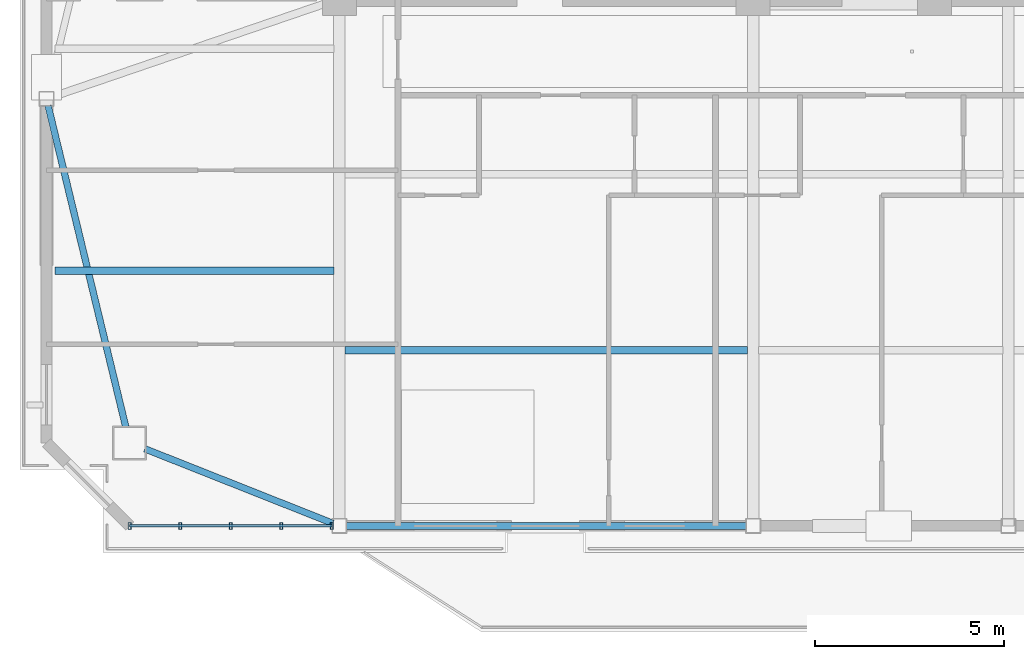
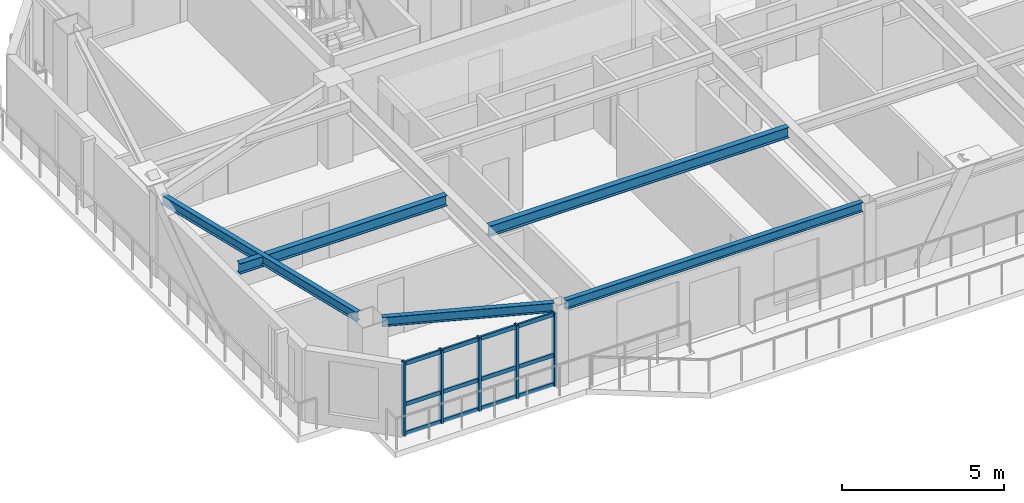
# One storey, part 2 of 13: 8 members, 5 beams, 1 element without a shape of its own.
"""IFC4 building model written with IfcOpenShell, lengths in metres."""

from ifc_helpers import new_model, si_unit, direction, frame, origin, origin_2d, place, context, subcontext, project, spatial, hollow_rectangle, i_section, extrude, source, transform, mapped, material, layer, layer_set, material_profile, profile_set, type_object, element, aggregate, save


model = new_model("IFC4")

# Units and contexts
model_context = context("Model", 3, precision=1e-05, world=origin(), true_north=direction((0.0, 1.0)))
body_context = subcontext(model_context, "Body", "Model", "MODEL_VIEW")
ifc_project = project(units=[si_unit("LENGTHUNIT", "METRE"), si_unit("AREAUNIT", "SQUARE_METRE"), si_unit("VOLUMEUNIT", "CUBIC_METRE"), si_unit("PLANEANGLEUNIT", "RADIAN"), si_unit("MASSUNIT", "GRAM", prefix="KILO")], contexts=[model_context])

# Site, building, storey
site_placement = place(None, origin())
site = spatial("IfcSite", under=ifc_project, at=site_placement, CompositionType="ELEMENT")
building_placement = place(site_placement, origin())
building = spatial("IfcBuilding", under=site, at=building_placement, Name="Giltprow Tower", CompositionType="ELEMENT")
storey_placement = place(building_placement, frame((0.0, 0.0, 349.300048828125)))
storey = spatial("IfcBuildingStorey", under=building, at=storey_placement, Name="L91", CompositionType="ELEMENT", Elevation=349.300048828125)

# Beams
ifc_material_1 = material(Name="Structural steel Q355B", Category="steel")
ifc_material_profile_1 = material_profile(ifc_material_1, i_section(OverallWidth=0.199951171875, OverallDepth=0.39990234375, WebThickness=0.008056640625, FlangeThickness=0.012939453125, at=origin_2d()), Name="HN 400x200x8x13")
ifc_profile_set_1 = profile_set([ifc_material_profile_1], Name="Structural steel Q355B")
beam_type_1 = type_object("IfcBeamType", Name="BM-JOIST-HN400", PredefinedType="JOIST", material=ifc_profile_set_1)
shared_shape_1 = source(origin(), body_context, "Body", "SweptSolid", [
    extrude(i_section(OverallWidth=0.199951171875, OverallDepth=0.39990234375, WebThickness=0.008056640625, FlangeThickness=0.012939453125, at=origin_2d()), origin(), (0.0, 0.0, 1.0), 10.659912109375),
])
beam_1_placement = place(storey_placement, frame((19.9951171875, 28.14990234375, 2.8798828125), z_axis=(1.0, 0.0, 0.0), x_axis=(0.0, 1.0, 0.0)))
element("IfcBeam", 1, at=beam_1_placement, inside=storey, type_object=beam_type_1, Name="L91 Composite Floor Joist 1-1", PredefinedType="JOIST", context=body_context, shape_type="MappedRepresentation", body=[
    mapped(shared_shape_1, transform((0.0, 0.0, 0.0), x_axis=(1.0, 0.0, 0.0), y_axis=(0.0, 1.0, 0.0), z_axis=(0.0, 0.0, 1.0), scale=1.0)),
])
ifc_material_profile_2 = material_profile(ifc_material_1, i_section(OverallWidth=0.175048828125, OverallDepth=0.35009765625, WebThickness=0.007080078125, FlangeThickness=0.010986328125, at=origin_2d()), Name="HN 350x175x7x11")
ifc_profile_set_2 = profile_set([ifc_material_profile_2], Name="Structural steel Q355B")
beam_type_2 = type_object("IfcBeamType", Name="BM-SPAN-HN350", PredefinedType="SPANDREL", material=ifc_profile_set_2)
shared_shape_2 = source(origin(), body_context, "Body", "SweptSolid", [
    extrude(i_section(OverallWidth=0.175048828125, OverallDepth=0.35009765625, WebThickness=0.007080078125, FlangeThickness=0.010986328125, at=origin_2d()), origin(), (0.0, 0.0, 1.0), 10.580078125),
])
beam_2_placement = place(storey_placement, frame((20.034912109375, 23.5, 2.905029296875), z_axis=(1.0, 0.0, 0.0), x_axis=(0.0, 1.0, 0.0)))
element("IfcBeam", 2, at=beam_2_placement, inside=storey, type_object=beam_type_2, Name="L91 Perimeter Spandrel Beam S1-S2", PredefinedType="SPANDREL", context=body_context, shape_type="MappedRepresentation", body=[
    mapped(shared_shape_2, transform((0.0, 0.0, 0.0), x_axis=(1.0, 0.0, 0.0), y_axis=(0.0, 1.0, 0.0), z_axis=(0.0, 0.0, 1.0), scale=1.0)),
])
shared_shape_3 = source(origin(), body_context, "Body", "SweptSolid", [
    extrude(i_section(OverallWidth=0.175048828125, OverallDepth=0.35009765625, WebThickness=0.007080078125, FlangeThickness=0.010986328125, at=origin_2d()), origin(), (0.0, 0.0, 1.0), 5.3505859375),
])
beam_3_placement = place(storey_placement, frame((14.7041015625, 25.5400390625, 2.905029296875), z_axis=(0.929608362745, -0.368548900304, 0.0), x_axis=(0.368548900304, 0.929608362745, 0.0)))
element("IfcBeam", 3, at=beam_3_placement, inside=storey, type_object=beam_type_2, Name="L91 Perimeter Spandrel Beam MC_SW-S1", PredefinedType="SPANDREL", context=body_context, shape_type="MappedRepresentation", body=[
    mapped(shared_shape_3, transform((0.0, 0.0, 0.0), x_axis=(1.0, 0.0, 0.0), y_axis=(0.0, 1.0, 0.0), z_axis=(0.0, 0.0, 1.0), scale=1.0)),
])
shared_shape_4 = source(origin(), body_context, "Body", "SweptSolid", [
    extrude(i_section(OverallWidth=0.175048828125, OverallDepth=0.35009765625, WebThickness=0.007080078125, FlangeThickness=0.010986328125, at=origin_2d()), origin(), (0.0, 0.0, 1.0), 8.741943359375),
])
beam_4_placement = place(storey_placement, frame((12.14306640625, 34.6201171875, 2.905029296875), z_axis=(0.235063655766, -0.971979978054, 0.0), x_axis=(0.971979978054, 0.235063655766, 0.0)))
element("IfcBeam", 4, at=beam_4_placement, inside=storey, type_object=beam_type_2, Name="L91 Perimeter Spandrel Beam W_MID-MC_SW", PredefinedType="SPANDREL", context=body_context, shape_type="MappedRepresentation", body=[
    mapped(shared_shape_4, transform((0.0, 0.0, 0.0), x_axis=(1.0, 0.0, 0.0), y_axis=(0.0, 1.0, 0.0), z_axis=(0.0, 0.0, 1.0), scale=1.0)),
])
shared_shape_5 = source(origin(), body_context, "Body", "SweptSolid", [
    extrude(i_section(OverallWidth=0.199951171875, OverallDepth=0.39990234375, WebThickness=0.008056640625, FlangeThickness=0.012939453125, at=origin_2d()), origin(), (0.0, 0.0, 1.0), 7.385009765625),
])
beam_5_placement = place(storey_placement, frame((12.320068359375, 30.25, 2.8798828125), z_axis=(1.0, 0.0, 0.0), x_axis=(0.0, 1.0, 0.0)))
element("IfcBeam", 5, at=beam_5_placement, inside=storey, type_object=beam_type_1, Name="L91 West Wing Floor Joist 1", PredefinedType="JOIST", context=body_context, shape_type="MappedRepresentation", body=[
    mapped(shared_shape_5, transform((0.0, 0.0, 0.0), x_axis=(1.0, 0.0, 0.0), y_axis=(0.0, 1.0, 0.0), z_axis=(0.0, 0.0, 1.0), scale=1.0)),
])

# Curtain wall, members
ifc_material_2 = material(Name="Anodized bronze", Category="metal")
ifc_layer = layer(ifc_material_2, 0.179931640625, Name="Anodized bronze")
ifc_layer_set = layer_set([ifc_layer], Name="Anodized bronze")
curtain_wall_type = type_object("IfcCurtainWallType", Name="CW-RES-SKY", PredefinedType="NOTDEFINED", material=ifc_layer_set)
curtain_wall_placement = place(storey_placement, origin())
curtain_wall = element("IfcCurtainWall", 6, at=curtain_wall_placement, inside=storey, type_object=curtain_wall_type, Name="L91 South Recessed Curtain Wall 1", PredefinedType="NOTDEFINED")
ifc_material_profile_3 = material_profile(ifc_material_2, hollow_rectangle(XDim=0.06494140625, YDim=0.14990234375, WallThickness=0.006103515625, at=origin_2d()), Name="RHS 150x65x6")
ifc_profile_set_3 = profile_set([ifc_material_profile_3], Name="Anodized bronze")
member_type_1 = type_object("IfcMemberType", Name="CW-TRANSOM-150x65", PredefinedType="USERDEFINED", material=ifc_profile_set_3)
shared_shape_6 = source(origin(), body_context, "Body", "SweptSolid", [
    extrude(hollow_rectangle(XDim=0.06494140625, YDim=0.14990234375, WallThickness=0.006103515625, at=origin_2d()), origin(), (0.0, 0.0, 1.0), 5.349853515625),
])
member_1_placement = place(storey_placement, frame((14.300048828125, 23.5, 0.0400390625), z_axis=(1.0, 0.0, 0.0), x_axis=(0.0, 1.0, 0.0)))
member_1 = element("IfcMember", 7, at=member_1_placement, type_object=member_type_1, Name="L91 South Recessed Curtain Wall 1 Transom 1", ObjectType="TRANSOM", PredefinedType="USERDEFINED", context=body_context, shape_type="MappedRepresentation", body=[
    mapped(shared_shape_6, transform((0.0, 0.0, 0.0), x_axis=(1.0, 0.0, 0.0), y_axis=(0.0, 1.0, 0.0), z_axis=(0.0, 0.0, 1.0), scale=1.0)),
])
member_2_placement = place(storey_placement, frame((14.300048828125, 23.5, 1.137939453125), z_axis=(1.0, 0.0, 0.0), x_axis=(0.0, 1.0, 0.0)))
member_2 = element("IfcMember", 8, at=member_2_placement, type_object=member_type_1, Name="L91 South Recessed Curtain Wall 1 Transom 2", ObjectType="TRANSOM", PredefinedType="USERDEFINED", context=body_context, shape_type="MappedRepresentation", body=[
    mapped(shared_shape_6, transform((0.0, 0.0, 0.0), x_axis=(1.0, 0.0, 0.0), y_axis=(0.0, 1.0, 0.0), z_axis=(0.0, 0.0, 1.0), scale=1.0)),
])
member_3_placement = place(storey_placement, frame((14.300048828125, 23.5, 2.669921875), z_axis=(1.0, 0.0, 0.0), x_axis=(0.0, 1.0, 0.0)))
member_3 = element("IfcMember", 9, at=member_3_placement, type_object=member_type_1, Name="L91 South Recessed Curtain Wall 1 Transom 3", ObjectType="TRANSOM", PredefinedType="USERDEFINED", context=body_context, shape_type="MappedRepresentation", body=[
    mapped(shared_shape_6, transform((0.0, 0.0, 0.0), x_axis=(1.0, 0.0, 0.0), y_axis=(0.0, 1.0, 0.0), z_axis=(0.0, 0.0, 1.0), scale=1.0)),
])
ifc_material_profile_4 = material_profile(ifc_material_2, hollow_rectangle(XDim=0.074951171875, YDim=0.179931640625, WallThickness=0.008056640625, at=origin_2d()), Name="RHS 180x75x8")
ifc_profile_set_4 = profile_set([ifc_material_profile_4], Name="Anodized bronze")
member_type_2 = type_object("IfcMemberType", Name="CW-MULLION-180x75", PredefinedType="MULLION", material=ifc_profile_set_4)
shared_shape_7 = source(origin(), body_context, "Body", "SweptSolid", [
    extrude(hollow_rectangle(XDim=0.074951171875, YDim=0.179931640625, WallThickness=0.008056640625, at=origin_2d()), origin(), (0.0, 0.0, 1.0), 2.764892578125),
])
member_4_placement = place(storey_placement, frame((14.300048828125, 23.5, -0.02001953125), z_axis=(0.0, 0.0, 1.0), x_axis=(1.0, 0.0, 0.0)))
member_4 = element("IfcMember", 10, at=member_4_placement, type_object=member_type_2, Name="L91 South Recessed Curtain Wall 1 Mullion 1", PredefinedType="MULLION", context=body_context, shape_type="MappedRepresentation", body=[
    mapped(shared_shape_7, transform((0.0, 0.0, 0.0), x_axis=(1.0, 0.0, 0.0), y_axis=(0.0, 1.0, 0.0), z_axis=(0.0, 0.0, 1.0), scale=1.0)),
])
member_5_placement = place(storey_placement, frame((15.636962890625, 23.5, -0.02001953125), z_axis=(0.0, 0.0, 1.0), x_axis=(1.0, 0.0, 0.0)))
member_5 = element("IfcMember", 11, at=member_5_placement, type_object=member_type_2, Name="L91 South Recessed Curtain Wall 1 Mullion 2", PredefinedType="MULLION", context=body_context, shape_type="MappedRepresentation", body=[
    mapped(shared_shape_7, transform((0.0, 0.0, 0.0), x_axis=(1.0, 0.0, 0.0), y_axis=(0.0, 1.0, 0.0), z_axis=(0.0, 0.0, 1.0), scale=1.0)),
])
member_6_placement = place(storey_placement, frame((16.97509765625, 23.5, -0.02001953125), z_axis=(0.0, 0.0, 1.0), x_axis=(1.0, 0.0, 0.0)))
member_6 = element("IfcMember", 12, at=member_6_placement, type_object=member_type_2, Name="L91 South Recessed Curtain Wall 1 Mullion 3", PredefinedType="MULLION", context=body_context, shape_type="MappedRepresentation", body=[
    mapped(shared_shape_7, transform((0.0, 0.0, 0.0), x_axis=(1.0, 0.0, 0.0), y_axis=(0.0, 1.0, 0.0), z_axis=(0.0, 0.0, 1.0), scale=1.0)),
])
member_7_placement = place(storey_placement, frame((18.31201171875, 23.5, -0.02001953125), z_axis=(0.0, 0.0, 1.0), x_axis=(1.0, 0.0, 0.0)))
member_7 = element("IfcMember", 13, at=member_7_placement, type_object=member_type_2, Name="L91 South Recessed Curtain Wall 1 Mullion 4", PredefinedType="MULLION", context=body_context, shape_type="MappedRepresentation", body=[
    mapped(shared_shape_7, transform((0.0, 0.0, 0.0), x_axis=(1.0, 0.0, 0.0), y_axis=(0.0, 1.0, 0.0), z_axis=(0.0, 0.0, 1.0), scale=1.0)),
])
member_8_placement = place(storey_placement, frame((19.64990234375, 23.5, -0.02001953125), z_axis=(0.0, 0.0, 1.0), x_axis=(1.0, 0.0, 0.0)))
member_8 = element("IfcMember", 14, at=member_8_placement, type_object=member_type_2, Name="L91 South Recessed Curtain Wall 1 Mullion 5", PredefinedType="MULLION", context=body_context, shape_type="MappedRepresentation", body=[
    mapped(shared_shape_7, transform((0.0, 0.0, 0.0), x_axis=(1.0, 0.0, 0.0), y_axis=(0.0, 1.0, 0.0), z_axis=(0.0, 0.0, 1.0), scale=1.0)),
])
aggregate(curtain_wall, [member_4, member_5, member_6, member_7, member_8, member_1, member_2, member_3])

save(model, "model.ifc")
